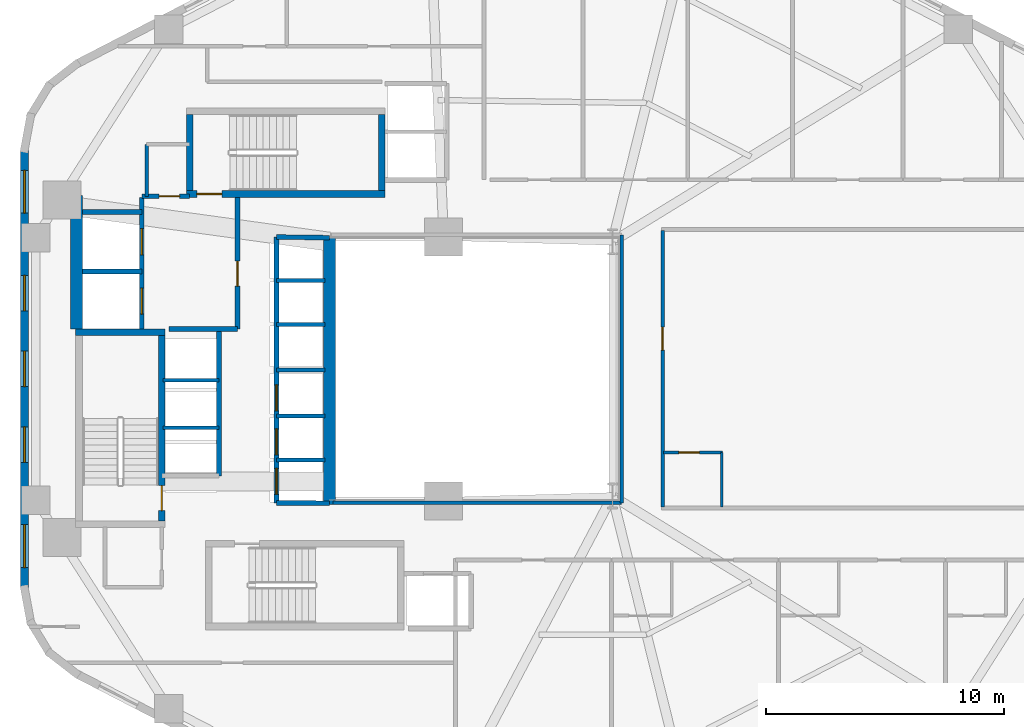
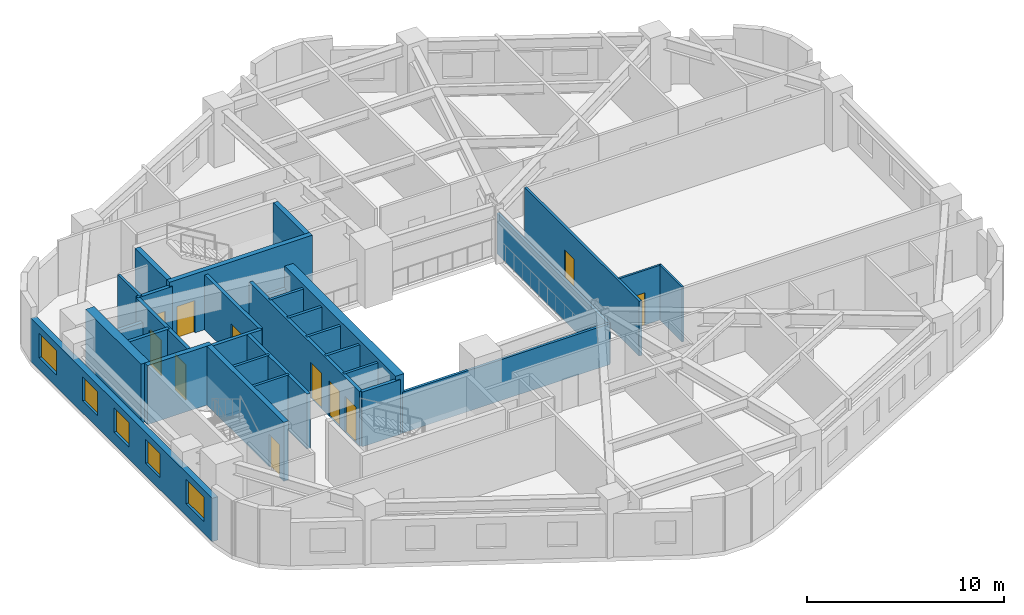
# One storey, part 3 of 7: 31 walls, 11 doors, 5 windows, 16 openings.
"""IFC4 building model written with IfcOpenShell, lengths in metres."""

from ifc_helpers import new_model, si_unit, direction, frame, frame_2d, origin, place, context, subcontext, project, spatial, rectangle, extrude, material, layer, layer_set, type_object, element, fill, save


model = new_model("IFC4")

# Units and contexts
model_context = context("Model", 3, precision=1e-05, world=origin(), true_north=direction((0.0, 1.0)))
body_context = subcontext(model_context, "Body", "Model", "MODEL_VIEW")
ifc_project = project(units=[si_unit("LENGTHUNIT", "METRE"), si_unit("AREAUNIT", "SQUARE_METRE"), si_unit("VOLUMEUNIT", "CUBIC_METRE"), si_unit("PLANEANGLEUNIT", "RADIAN"), si_unit("MASSUNIT", "GRAM", prefix="KILO"), si_unit("THERMODYNAMICTEMPERATUREUNIT", "KELVIN"), si_unit("POWERUNIT", "WATT")], contexts=[model_context])

# Site, building, storey
site_placement = place(None, origin())
site = spatial("IfcSite", under=ifc_project, at=site_placement, CompositionType="ELEMENT")
building_placement = place(site_placement, origin())
building = spatial("IfcBuilding", under=site, at=building_placement, Name="Skarre Station Tower", CompositionType="ELEMENT")
storey_placement = place(building_placement, frame((0.0, 0.0, 89.050048828125)))
storey = spatial("IfcBuildingStorey", under=building, at=storey_placement, Name="L23", CompositionType="ELEMENT", Elevation=89.050048828125)

# Walls
ifc_material_1 = material(Name="Acoustic Steel-Stud Gypsum Partition", Category="steel")
ifc_layer_1 = layer(ifc_material_1, 0.14990234375, Name="Acoustic Steel-Stud Gypsum Partition")
ifc_layer_set_1 = layer_set([ifc_layer_1], Name="Acoustic Steel-Stud Gypsum Partition")
wall_type_1 = type_object("IfcWallType", Name="Fire-Rated Corridor Acoustic Partition 150", PredefinedType="PARTITIONING", material=ifc_layer_set_1)
wall_1_placement = place(storey_placement, frame((19.85009765625, 33.449951171875, 0.0), z_axis=(0.0, 0.0, 1.0), x_axis=(0.0, -1.0, 0.0)))
element("IfcWall", 1, at=wall_1_placement, inside=storey, type_object=wall_type_1, Name="L23 Interior Partition WL-PT-L23-CNW-W", PredefinedType="PARTITIONING", context=body_context, shape_type="SweptSolid", body=[
    extrude(rectangle(XDim=2.18994140625, YDim=0.14990234375, at=frame_2d((1.094970703125, 0.0))), origin(), (0.0, 0.0, 1.0), 3.389892578125),
])
wall_2_placement = place(storey_placement, frame((27.699951171875, 18.360107421875, 0.0), z_axis=(0.0, 0.0, 1.0), x_axis=(1.0, 0.0, 0.0)))
element("IfcWall", 2, at=wall_2_placement, inside=storey, type_object=wall_type_1, Name="L23 Interior Partition WL-PT-L23-ATRW-S", PredefinedType="PARTITIONING", context=body_context, shape_type="SweptSolid", body=[
    extrude(rectangle(XDim=12.14013671875, YDim=0.14990234375, at=frame_2d((6.070068359375, 0.0))), origin(), (0.0, 0.0, 1.0), 2.531005859375),
])
wall_3_placement = place(storey_placement, frame((39.840087890625, 18.360107421875, 0.0), z_axis=(0.0, 0.0, 1.0), x_axis=(0.0, 1.0, 0.0)))
element("IfcWall", 3, at=wall_3_placement, inside=storey, type_object=wall_type_1, Name="L23 Interior Partition WL-PT-L23-ATRW-E", PredefinedType="PARTITIONING", context=body_context, shape_type="SweptSolid", body=[
    extrude(rectangle(XDim=11.27978515625, YDim=0.14990234375, at=frame_2d((5.639892578125, 0.0))), origin(), (0.0, 0.0, 1.0), 2.512939453125),
])

# Wall, opening, door
wall_4_placement = place(storey_placement, frame((41.56005859375, 18.179931640625, 0.0), z_axis=(0.0, 0.0, 1.0), x_axis=(0.0, 1.0, 0.0)))
wall_4 = element("IfcWall", 4, at=wall_4_placement, inside=storey, type_object=wall_type_1, Name="L23 Interior Partition WL-PT-L23-EW1-CW", PredefinedType="PARTITIONING", context=body_context, shape_type="SweptSolid", body=[
    extrude(rectangle(XDim=11.64013671875, YDim=0.14990234375, at=frame_2d((5.820068359375, 0.0))), origin(), (0.0, 0.0, 1.0), 3.389892578125),
])
opening_1_placement = place(wall_4_placement, frame((6.614990234375, 0.0, 0.0)))
opening_1 = element("IfcOpeningElement", 5, at=opening_1_placement, cuts=wall_4, Name="Opening DR-FD60", PredefinedType="OPENING", context=body_context, shape_type="SweptSolid", body=[
    extrude(rectangle(XDim=0.9599609375, YDim=2.0, at=frame_2d((0.47998046875, 1.0))), frame((0.0, 0.0849609375, 0.0), z_axis=(0.0, -1.0, 0.0), x_axis=(1.0, 0.0, 0.0)), (0.0, 0.0, 1.0), 0.169921875),
])
ifc_material_2 = material(Name="Nordic White-Oak Veneer Solid-Core Fire Leaf", Category="wood")
door_type_1 = type_object("IfcDoorType", Name="Corridor Suite Entry Fire Door FD60 960x2150", OperationType="SINGLE_SWING_LEFT", PredefinedType="DOOR", material=ifc_material_2)
door_1_placement = place(opening_1_placement, origin())
door_1 = element("IfcDoor", 6, at=door_1_placement, inside=storey, type_object=door_type_1, Name="L23 EW1 Entry Door", OperationType="SINGLE_SWING_LEFT", OverallHeight=2.0, OverallWidth=0.9599609375, PredefinedType="DOOR", context=body_context, shape_type="SweptSolid", body=[
    extrude(rectangle(XDim=0.9599609375, YDim=2.0, at=frame_2d((0.47998046875, 1.0))), frame((0.0, 0.02490234375, 0.0), z_axis=(0.0, -1.0, 0.0), x_axis=(1.0, 0.0, 0.0)), (0.0, 0.0, 1.0), 0.050048828125),
])
fill(opening_1, door_1)

ifc_material_3 = material(Name="Insulated Timber-Stud Gypsum Partition", Category="wood")
ifc_layer_2 = layer(ifc_material_3, 0.1201171875, Name="Insulated Timber-Stud Gypsum Partition")
ifc_layer_set_2 = layer_set([ifc_layer_2], Name="Insulated Timber-Stud Gypsum Partition")
wall_type_2 = type_object("IfcWallType", Name="Internal Suite Acoustic Partition 120", PredefinedType="PARTITIONING", material=ifc_layer_set_2)
wall_5_placement = place(storey_placement, frame((41.60009765625, 20.47998046875, 0.0), z_axis=(0.0, 0.0, 1.0), x_axis=(1.0, 0.0, 0.0)))
wall_5 = element("IfcWall", 7, at=wall_5_placement, inside=storey, type_object=wall_type_2, Name="L23 Interior Partition WL-PT-L23-EW1-SA1", PredefinedType="PARTITIONING", context=body_context, shape_type="SweptSolid", body=[
    extrude(rectangle(XDim=2.47998046875, YDim=0.1201171875, at=frame_2d((1.239990234375, 0.0))), origin(), (0.0, 0.0, 1.0), 3.389892578125),
])
opening_2_placement = place(wall_5_placement, frame((0.64990234375, 0.0, 0.0)))
opening_2 = element("IfcOpeningElement", 8, at=opening_2_placement, cuts=wall_5, Name="Opening DR-INT86", PredefinedType="OPENING", context=body_context, shape_type="SweptSolid", body=[
    extrude(rectangle(XDim=0.860107421875, YDim=2.0, at=frame_2d((0.43017578125, 1.0))), frame((0.0, 0.070068359375, 0.0), z_axis=(0.0, -1.0, 0.0), x_axis=(1.0, 0.0, 0.0)), (0.0, 0.0, 1.0), 0.14013671875),
])
ifc_material_4 = material(Name="Nordic Birch Acoustic Solid-Core Timber Leaf", Category="wood")
door_type_2 = type_object("IfcDoorType", Name="Internal En-Suite & Bedroom Door 860x2100", OperationType="SINGLE_SWING_LEFT", PredefinedType="DOOR", material=ifc_material_4)
door_2_placement = place(opening_2_placement, origin())
door_2 = element("IfcDoor", 9, at=door_2_placement, inside=storey, type_object=door_type_2, Name="L23 EW1 Alcove Store Door", OperationType="SINGLE_SWING_LEFT", OverallHeight=2.0, OverallWidth=0.860107421875, PredefinedType="DOOR", context=body_context, shape_type="SweptSolid", body=[
    extrude(rectangle(XDim=0.860107421875, YDim=2.0, at=frame_2d((0.43017578125, 1.0))), frame((0.0, 0.02490234375, 0.0), z_axis=(0.0, -1.0, 0.0), x_axis=(1.0, 0.0, 0.0)), (0.0, 0.0, 1.0), 0.050048828125),
])
fill(opening_2, door_2)

# Wall
wall_6_placement = place(storey_placement, frame((44.050048828125, 18.179931640625, 0.0), z_axis=(0.0, 0.0, 1.0), x_axis=(0.0, 1.0, 0.0)))
element("IfcWall", 10, at=wall_6_placement, inside=storey, type_object=wall_type_2, Name="L23 Interior Partition WL-PT-L23-EW1-SA2", PredefinedType="PARTITIONING", context=body_context, shape_type="SweptSolid", body=[
    extrude(rectangle(XDim=2.300048828125, YDim=0.1201171875, at=frame_2d((1.14990234375, 0.0))), origin(), (0.0, 0.0, 1.0), 3.389892578125),
])

# Wall, openings, windows
ifc_material_5 = material(Name="Precast concrete C45/55", Category="concrete")
ifc_layer_3 = layer(ifc_material_5, 0.340087890625, Name="Precast concrete C45/55")
ifc_layer_set_3 = layer_set([ifc_layer_3], Name="Precast concrete C45/55")
wall_type_3 = type_object("IfcWallType", Name="Nordic Honed Precast Facet Wall 340", PredefinedType="STANDARD", material=ifc_layer_set_3)
wall_7_placement = place(storey_placement, frame((14.70703125, 14.798095703125, 0.0), z_axis=(0.0, 0.0, 1.0), x_axis=(0.0, 1.0, 0.0)))
wall_7 = element("IfcWall", 11, at=wall_7_placement, inside=storey, type_object=wall_type_3, Name="L23 Facet 2 Nordic Precast Masonry Wall", PredefinedType="STANDARD", context=body_context, shape_type="SweptSolid", body=[
    extrude(rectangle(XDim=18.40380859375, YDim=0.340087890625, at=frame_2d((9.201904296875, 0.0))), origin(), (0.0, 0.0, 1.0), 2.683837890625),
])
opening_3_placement = place(wall_7_placement, frame((0.844970703125, 0.0, 0.75)))
opening_3 = element("IfcOpeningElement", 12, at=opening_3_placement, cuts=wall_7, Name="Opening WN-Z1A", PredefinedType="OPENING", context=body_context, shape_type="SweptSolid", body=[
    extrude(rectangle(XDim=1.800048828125, YDim=1.5, at=frame_2d((0.89990234375, 0.75))), frame((0.0, 0.179931640625, 0.0), z_axis=(0.0, -1.0, 0.0), x_axis=(1.0, 0.0, 0.0)), (0.0, 0.0, 1.0), 0.360107421875),
])
opening_4_placement = place(wall_7_placement, frame((5.264892578125, 0.0, 0.75)))
opening_4 = element("IfcOpeningElement", 13, at=opening_4_placement, cuts=wall_7, Name="Opening WN-Z1B", PredefinedType="OPENING", context=body_context, shape_type="SweptSolid", body=[
    extrude(rectangle(XDim=1.5, YDim=1.5, at=frame_2d((0.75, 0.75))), frame((0.0, 0.179931640625, 0.0), z_axis=(0.0, -1.0, 0.0), x_axis=(1.0, 0.0, 0.0)), (0.0, 0.0, 1.0), 0.360107421875),
])
opening_5_placement = place(wall_7_placement, frame((8.451904296875, 0.0, 0.75)))
opening_5 = element("IfcOpeningElement", 14, at=opening_5_placement, cuts=wall_7, Name="Opening WN-Z1B", PredefinedType="OPENING", context=body_context, shape_type="SweptSolid", body=[
    extrude(rectangle(XDim=1.5, YDim=1.5, at=frame_2d((0.75, 0.75))), frame((0.0, 0.179931640625, 0.0), z_axis=(0.0, -1.0, 0.0), x_axis=(1.0, 0.0, 0.0)), (0.0, 0.0, 1.0), 0.360107421875),
])
opening_6_placement = place(wall_7_placement, frame((11.638916015625, 0.0, 0.75)))
opening_6 = element("IfcOpeningElement", 15, at=opening_6_placement, cuts=wall_7, Name="Opening WN-Z1B", PredefinedType="OPENING", context=body_context, shape_type="SweptSolid", body=[
    extrude(rectangle(XDim=1.5, YDim=1.5, at=frame_2d((0.75, 0.75))), frame((0.0, 0.179931640625, 0.0), z_axis=(0.0, -1.0, 0.0), x_axis=(1.0, 0.0, 0.0)), (0.0, 0.0, 1.0), 0.360107421875),
])
opening_7_placement = place(wall_7_placement, frame((15.758056640625, 0.0, 0.75)))
opening_7 = element("IfcOpeningElement", 16, at=opening_7_placement, cuts=wall_7, Name="Opening WN-Z1A", PredefinedType="OPENING", context=body_context, shape_type="SweptSolid", body=[
    extrude(rectangle(XDim=1.800048828125, YDim=1.5, at=frame_2d((0.89990234375, 0.75))), frame((0.0, 0.179931640625, 0.0), z_axis=(0.0, -1.0, 0.0), x_axis=(1.0, 0.0, 0.0)), (0.0, 0.0, 1.0), 0.360107421875),
])
ifc_material_6 = material(Name="Low-Iron Triple Glazing with Bronze Anodized Frame", Category="glass")
window_type_1 = type_object("IfcWindowType", Name="Nordic Punched Triple-Glazed Window 1500x1500", PartitioningType="SINGLE_PANEL", PredefinedType="WINDOW", material=ifc_material_6)
window_1_placement = place(opening_4_placement, origin())
window_1 = element("IfcWindow", 17, at=window_1_placement, inside=storey, type_object=window_type_1, Name="L23 Facade Window WL-FAC-L23-F2-2", OverallHeight=1.5, OverallWidth=1.5, PartitioningType="SINGLE_PANEL", PredefinedType="WINDOW", context=body_context, shape_type="SweptSolid", body=[
    extrude(rectangle(XDim=1.5, YDim=1.5, at=frame_2d((0.75, 0.75))), frame((0.0, 0.030029296875, 0.0), z_axis=(0.0, -1.0, 0.0), x_axis=(1.0, 0.0, 0.0)), (0.0, 0.0, 1.0), 0.06005859375),
])
fill(opening_4, window_1)
window_2_placement = place(opening_5_placement, origin())
window_2 = element("IfcWindow", 18, at=window_2_placement, inside=storey, type_object=window_type_1, Name="L23 Facade Window WL-FAC-L23-F2-3", OverallHeight=1.5, OverallWidth=1.5, PartitioningType="SINGLE_PANEL", PredefinedType="WINDOW", context=body_context, shape_type="SweptSolid", body=[
    extrude(rectangle(XDim=1.5, YDim=1.5, at=frame_2d((0.75, 0.75))), frame((0.0, 0.030029296875, 0.0), z_axis=(0.0, -1.0, 0.0), x_axis=(1.0, 0.0, 0.0)), (0.0, 0.0, 1.0), 0.06005859375),
])
fill(opening_5, window_2)
window_3_placement = place(opening_6_placement, origin())
window_3 = element("IfcWindow", 19, at=window_3_placement, inside=storey, type_object=window_type_1, Name="L23 Facade Window WL-FAC-L23-F2-4", OverallHeight=1.5, OverallWidth=1.5, PartitioningType="SINGLE_PANEL", PredefinedType="WINDOW", context=body_context, shape_type="SweptSolid", body=[
    extrude(rectangle(XDim=1.5, YDim=1.5, at=frame_2d((0.75, 0.75))), frame((0.0, 0.030029296875, 0.0), z_axis=(0.0, -1.0, 0.0), x_axis=(1.0, 0.0, 0.0)), (0.0, 0.0, 1.0), 0.06005859375),
])
fill(opening_6, window_3)
window_type_2 = type_object("IfcWindowType", Name="Nordic Punched Triple-Glazed Window 1800x1500", PartitioningType="SINGLE_PANEL", PredefinedType="WINDOW", material=ifc_material_6)
window_4_placement = place(opening_3_placement, origin())
window_4 = element("IfcWindow", 20, at=window_4_placement, inside=storey, type_object=window_type_2, Name="L23 Facade Window WL-FAC-L23-F2-1", OverallHeight=1.5, OverallWidth=1.800048828125, PartitioningType="SINGLE_PANEL", PredefinedType="WINDOW", context=body_context, shape_type="SweptSolid", body=[
    extrude(rectangle(XDim=1.800048828125, YDim=1.5, at=frame_2d((0.89990234375, 0.75))), frame((0.0, 0.030029296875, 0.0), z_axis=(0.0, -1.0, 0.0), x_axis=(1.0, 0.0, 0.0)), (0.0, 0.0, 1.0), 0.06005859375),
])
fill(opening_3, window_4)
window_5_placement = place(opening_7_placement, origin())
window_5 = element("IfcWindow", 21, at=window_5_placement, inside=storey, type_object=window_type_2, Name="L23 Facade Window WL-FAC-L23-F2-5", OverallHeight=1.5, OverallWidth=1.800048828125, PartitioningType="SINGLE_PANEL", PredefinedType="WINDOW", context=body_context, shape_type="SweptSolid", body=[
    extrude(rectangle(XDim=1.800048828125, YDim=1.5, at=frame_2d((0.89990234375, 0.75))), frame((0.0, 0.030029296875, 0.0), z_axis=(0.0, -1.0, 0.0), x_axis=(1.0, 0.0, 0.0)), (0.0, 0.0, 1.0), 0.06005859375),
])
fill(opening_7, window_5)

# Wall
ifc_material_7 = material(Name="Concrete C50/60", Category="concrete")
ifc_layer_4 = layer(ifc_material_7, 0.280029296875, Name="Concrete C50/60")
ifc_layer_set_4 = layer_set([ifc_layer_4], Name="Concrete C50/60")
wall_type_4 = type_object("IfcWallType", Name="RC Core Shear Wall 280", PredefinedType="SHEAR", material=ifc_layer_set_4)
wall_8_placement = place(storey_placement, frame((20.6298828125, 25.5400390625, 0.0), z_axis=(0.0, 0.0, 1.0), x_axis=(-1.0, 0.0, 0.0)))
element("IfcWall", 22, at=wall_8_placement, inside=storey, type_object=wall_type_4, Name="L23 Stair ST-1 North Shear Wall", PredefinedType="SHEAR", context=body_context, shape_type="SweptSolid", body=[
    extrude(rectangle(XDim=3.759765625, YDim=0.280029296875, at=frame_2d((1.8798828125, 0.0))), origin(), (0.0, 0.0, 1.0), 3.64990234375),
])

# Wall, opening, door
wall_9_placement = place(storey_placement, frame((20.489990234375, 17.60009765625, 0.0), z_axis=(0.0, 0.0, 1.0), x_axis=(0.0, 1.0, 0.0)))
wall_9 = element("IfcWall", 23, at=wall_9_placement, inside=storey, type_object=wall_type_4, Name="L23 Stair ST-1 East Shear Wall", PredefinedType="SHEAR", context=body_context, shape_type="SweptSolid", body=[
    extrude(rectangle(XDim=7.7998046875, YDim=0.280029296875, at=frame_2d((3.89990234375, 0.0))), origin(), (0.0, 0.0, 1.0), 3.64990234375),
])
opening_8_placement = place(wall_9_placement, frame((0.43994140625, 0.0, 0.0)))
opening_8 = element("IfcOpeningElement", 24, at=opening_8_placement, cuts=wall_9, Name="Opening DR-FD90", PredefinedType="OPENING", context=body_context, shape_type="SweptSolid", body=[
    extrude(rectangle(XDim=1.050048828125, YDim=2.0, at=frame_2d((0.52490234375, 1.0))), frame((0.0, 0.14990234375, 0.0), z_axis=(0.0, -1.0, 0.0), x_axis=(1.0, 0.0, 0.0)), (0.0, 0.0, 1.0), 0.300048828125),
])
ifc_material_8 = material(Name="Fire-Rated Insulated Steel Frame & Timber Core Leaf", Category="steel")
door_type_3 = type_object("IfcDoorType", Name="Stair & FSAE Lobby Fire Door FD90 1050x2150", OperationType="SINGLE_SWING_RIGHT", PredefinedType="DOOR", material=ifc_material_8)
door_3_placement = place(opening_8_placement, origin())
door_3 = element("IfcDoor", 25, at=door_3_placement, inside=storey, type_object=door_type_3, Name="L23 Stair ST-1 Exit Door", OperationType="SINGLE_SWING_RIGHT", OverallHeight=2.0, OverallWidth=1.050048828125, PredefinedType="DOOR", context=body_context, shape_type="SweptSolid", body=[
    extrude(rectangle(XDim=1.050048828125, YDim=2.0, at=frame_2d((0.52490234375, 1.0))), frame((0.0, 0.02490234375, 0.0), z_axis=(0.0, -1.0, 0.0), x_axis=(1.0, 0.0, 0.0)), (0.0, 0.0, 1.0), 0.050048828125),
])
fill(opening_8, door_3)

wall_10_placement = place(storey_placement, frame((21.52001953125, 31.360107421875, 0.0), z_axis=(0.0, 0.0, 1.0), x_axis=(1.0, 0.0, 0.0)))
wall_10 = element("IfcWall", 26, at=wall_10_placement, inside=storey, type_object=wall_type_4, Name="L23 Stair ST-3 South Shear Wall", PredefinedType="SHEAR", context=body_context, shape_type="SweptSolid", body=[
    extrude(rectangle(XDim=8.35986328125, YDim=0.280029296875, at=frame_2d((4.179931640625, 0.0))), origin(), (0.0, 0.0, 1.0), 3.64990234375),
])
opening_9_placement = place(wall_10_placement, frame((0.449951171875, 0.0, 0.0)))
opening_9 = element("IfcOpeningElement", 27, at=opening_9_placement, cuts=wall_10, Name="Opening DR-FD90", PredefinedType="OPENING", context=body_context, shape_type="SweptSolid", body=[
    extrude(rectangle(XDim=1.050048828125, YDim=2.0, at=frame_2d((0.52490234375, 1.0))), frame((0.0, 0.14990234375, 0.0), z_axis=(0.0, -1.0, 0.0), x_axis=(1.0, 0.0, 0.0)), (0.0, 0.0, 1.0), 0.300048828125),
])
door_4_placement = place(opening_9_placement, origin())
door_4 = element("IfcDoor", 28, at=door_4_placement, inside=storey, type_object=door_type_3, Name="L23 Stair ST-3 & FSAE Lobby Direct Exit Door", OperationType="SINGLE_SWING_LEFT", OverallHeight=2.0, OverallWidth=1.050048828125, PredefinedType="DOOR", context=body_context, shape_type="SweptSolid", body=[
    extrude(rectangle(XDim=1.050048828125, YDim=2.0, at=frame_2d((0.52490234375, 1.0))), frame((0.0, 0.02490234375, 0.0), z_axis=(0.0, -1.0, 0.0), x_axis=(1.0, 0.0, 0.0)), (0.0, 0.0, 1.0), 0.050048828125),
])
fill(opening_9, door_4)

# Walls
for number, where, z_axis, x_axis, name in (
    (29, (21.659912109375, 34.699951171875, 0.0), (0.0, 0.0, 1.0), (0.0, -1.0, 0.0), "L23 Stair ST-3 West Shear Wall"),
    (30, (29.739990234375, 31.5, 0.0), (0.0, 0.0, 1.0), (0.0, 1.0, 0.0), "L23 Stair ST-3 East Shear Wall"),
):
    element("IfcWall", number, at=place(storey_placement, frame(where, z_axis=z_axis, x_axis=x_axis)), inside=storey, type_object=wall_type_4, Name=name, PredefinedType="SHEAR", context=body_context, shape_type="SweptSolid", body=[
        extrude(rectangle(XDim=3.199951171875, YDim=0.280029296875, at=frame_2d((1.60009765625, 0.0))), origin(), (0.0, 0.0, 1.0), 3.64990234375),
    ])
ifc_material_9 = material(Name="Concrete C70/85", Category="concrete")
ifc_layer_5 = layer(ifc_material_9, 0.5, Name="Concrete C70/85")
ifc_layer_set_5 = layer_set([ifc_layer_5], Name="Concrete C70/85")
wall_type_5 = type_object("IfcWallType", Name="RC Core Shear Wall 500", PredefinedType="SHEAR", material=ifc_layer_set_5)
wall_11_placement = place(storey_placement, frame((16.89990234375, 25.679931640625, 0.0), z_axis=(0.0, 0.0, 1.0), x_axis=(0.0, 1.0, 0.0)))
element("IfcWall", 31, at=wall_11_placement, inside=storey, type_object=wall_type_5, Name="L23 Core West-North Shear Wall", PredefinedType="SHEAR", context=body_context, shape_type="SweptSolid", body=[
    extrude(rectangle(XDim=5.6201171875, YDim=0.5, at=frame_2d((2.81005859375, 0.0))), origin(), (0.0, 0.0, 1.0), 3.64990234375),
])
wall_12_placement = place(storey_placement, frame((27.550048828125, 29.550048828125, 0.0), z_axis=(0.0, 0.0, 1.0), x_axis=(0.0, -1.0, 0.0)))
element("IfcWall", 32, at=wall_12_placement, inside=storey, type_object=wall_type_5, Name="L23 Core East Atrium Shear Wall", PredefinedType="SHEAR", context=body_context, shape_type="SweptSolid", body=[
    extrude(rectangle(XDim=11.25, YDim=0.5, at=frame_2d((5.625, 0.0))), origin(), (0.0, 0.0, 1.0), 3.64990234375),
])

# Wall, openings, doors
ifc_material_10 = material(Name="Gypsum Concrete Shaft Assembly C30/37", Category="concrete")
ifc_layer_6 = layer(ifc_material_10, 0.199951171875, Name="Gypsum Concrete Shaft Assembly C30/37")
ifc_layer_set_6 = layer_set([ifc_layer_6], Name="Gypsum Concrete Shaft Assembly C30/37")
wall_type_6 = type_object("IfcWallType", Name="Shaft & Core Fire Partition 200", PredefinedType="PARTITIONING", material=ifc_layer_set_6)
wall_13_placement = place(storey_placement, frame((19.64990234375, 25.679931640625, 0.0), z_axis=(0.0, 0.0, 1.0), x_axis=(0.0, 1.0, 0.0)))
wall_13 = element("IfcWall", 33, at=wall_13_placement, inside=storey, type_object=wall_type_6, Name="L23 Interior Partition WL-PT-L23-FSAE-W", PredefinedType="PARTITIONING", context=body_context, shape_type="SweptSolid", body=[
    extrude(rectangle(XDim=5.5400390625, YDim=0.199951171875, at=frame_2d((2.77001953125, 0.0))), origin(), (0.0, 0.0, 1.0), 3.389892578125),
])
opening_10_placement = place(wall_13_placement, frame((0.6201171875, 0.0, 0.0)))
opening_10 = element("IfcOpeningElement", 34, at=opening_10_placement, cuts=wall_13, Name="Opening LD-FF1", PredefinedType="OPENING", context=body_context, shape_type="SweptSolid", body=[
    extrude(rectangle(XDim=1.10009765625, YDim=2.199951171875, at=frame_2d((0.550048828125, 1.10009765625))), frame((0.0, 0.10986328125, 0.0), z_axis=(0.0, -1.0, 0.0), x_axis=(1.0, 0.0, 0.0)), (0.0, 0.0, 1.0), 0.219970703125),
])
opening_11_placement = place(wall_13_placement, frame((3.1201171875, 0.0, 0.0)))
opening_11 = element("IfcOpeningElement", 35, at=opening_11_placement, cuts=wall_13, Name="Opening LD-FF2", PredefinedType="OPENING", context=body_context, shape_type="SweptSolid", body=[
    extrude(rectangle(XDim=1.10009765625, YDim=2.199951171875, at=frame_2d((0.550048828125, 1.10009765625))), frame((0.0, 0.10986328125, 0.0), z_axis=(0.0, -1.0, 0.0), x_axis=(1.0, 0.0, 0.0)), (0.0, 0.0, 1.0), 0.219970703125),
])
ifc_material_11 = material(Name="Fire-Rated Stainless Steel Grade 316L Sliding Leaves", Category="steel")
door_type_4 = type_object("IfcDoorType", Name="Fire Service Access Elevator Sliding Landing Door 1100x2200", OperationType="SLIDING_TO_LEFT", PredefinedType="DOOR", material=ifc_material_11)
door_5_placement = place(opening_10_placement, origin())
door_5 = element("IfcDoor", 36, at=door_5_placement, inside=storey, type_object=door_type_4, Name="L23 Firefighting Lift LF-FF1 Landing Door", OperationType="SLIDING_TO_LEFT", OverallHeight=2.199951171875, OverallWidth=1.10009765625, PredefinedType="DOOR", context=body_context, shape_type="SweptSolid", body=[
    extrude(rectangle(XDim=1.10009765625, YDim=2.199951171875, at=frame_2d((0.550048828125, 1.10009765625))), frame((0.0, 0.02490234375, 0.0), z_axis=(0.0, -1.0, 0.0), x_axis=(1.0, 0.0, 0.0)), (0.0, 0.0, 1.0), 0.050048828125),
])
fill(opening_10, door_5)
door_6_placement = place(opening_11_placement, origin())
door_6 = element("IfcDoor", 37, at=door_6_placement, inside=storey, type_object=door_type_4, Name="L23 Firefighting Lift LF-FF2 Landing Door", OperationType="SLIDING_TO_LEFT", OverallHeight=2.199951171875, OverallWidth=1.10009765625, PredefinedType="DOOR", context=body_context, shape_type="SweptSolid", body=[
    extrude(rectangle(XDim=1.10009765625, YDim=2.199951171875, at=frame_2d((0.550048828125, 1.10009765625))), frame((0.0, 0.02490234375, 0.0), z_axis=(0.0, -1.0, 0.0), x_axis=(1.0, 0.0, 0.0)), (0.0, 0.0, 1.0), 0.050048828125),
])
fill(opening_11, door_6)

# Wall
wall_14_placement = place(storey_placement, frame((20.79296875, 25.679931640625, 0.0), z_axis=(0.0, 0.0, 1.0), x_axis=(1.0, 0.0, 0.0)))
element("IfcWall", 38, at=wall_14_placement, inside=storey, type_object=wall_type_6, Name="L23 Interior Partition WL-PT-L23-FSAE-S", PredefinedType="PARTITIONING", context=body_context, shape_type="SweptSolid", body=[
    extrude(rectangle(XDim=2.886962890625, YDim=0.199951171875, at=frame_2d((1.443359375, 0.0))), origin(), (0.0, 0.0, 1.0), 3.389892578125),
])

# Wall, opening, door
wall_15_placement = place(storey_placement, frame((23.679931640625, 25.679931640625, 0.0), z_axis=(0.0, 0.0, 1.0), x_axis=(0.0, 1.0, 0.0)))
wall_15 = element("IfcWall", 39, at=wall_15_placement, inside=storey, type_object=wall_type_6, Name="L23 Interior Partition WL-PT-L23-FSAE-E", PredefinedType="PARTITIONING", context=body_context, shape_type="SweptSolid", body=[
    extrude(rectangle(XDim=5.5400390625, YDim=0.199951171875, at=frame_2d((2.77001953125, 0.0))), origin(), (0.0, 0.0, 1.0), 3.389892578125),
])
opening_12_placement = place(wall_15_placement, frame((1.800048828125, 0.0, 0.0)))
opening_12 = element("IfcOpeningElement", 40, at=opening_12_placement, cuts=wall_15, Name="Opening DR-FD90", PredefinedType="OPENING", context=body_context, shape_type="SweptSolid", body=[
    extrude(rectangle(XDim=1.050048828125, YDim=2.0, at=frame_2d((0.52490234375, 1.0))), frame((0.0, 0.10986328125, 0.0), z_axis=(0.0, -1.0, 0.0), x_axis=(1.0, 0.0, 0.0)), (0.0, 0.0, 1.0), 0.219970703125),
])
door_7_placement = place(opening_12_placement, origin())
door_7 = element("IfcDoor", 41, at=door_7_placement, inside=storey, type_object=door_type_3, Name="L23 FSAE Lobby Fire Door", OperationType="SINGLE_SWING_RIGHT", OverallHeight=2.0, OverallWidth=1.050048828125, PredefinedType="DOOR", context=body_context, shape_type="SweptSolid", body=[
    extrude(rectangle(XDim=1.050048828125, YDim=2.0, at=frame_2d((0.52490234375, 1.0))), frame((0.0, 0.02490234375, 0.0), z_axis=(0.0, -1.0, 0.0), x_axis=(1.0, 0.0, 0.0)), (0.0, 0.0, 1.0), 0.050048828125),
])
fill(opening_12, door_7)

wall_16_placement = place(storey_placement, frame((21.659912109375, 31.260009765625, 0.0), z_axis=(0.0, 0.0, 1.0), x_axis=(-1.0, 0.0, 0.0)))
wall_16 = element("IfcWall", 42, at=wall_16_placement, inside=storey, type_object=wall_type_6, Name="L23 Interior Partition WL-PT-L23-FSAE-N", PredefinedType="PARTITIONING", context=body_context, shape_type="SweptSolid", body=[
    extrude(rectangle(XDim=2.010009765625, YDim=0.199951171875, at=frame_2d((1.0048828125, 0.0))), origin(), (0.0, 0.0, 1.0), 3.389892578125),
])
opening_13_placement = place(wall_16_placement, frame((0.419921875, 0.0, 0.0)))
opening_13 = element("IfcOpeningElement", 43, at=opening_13_placement, cuts=wall_16, Name="Opening DR-SVC86", PredefinedType="OPENING", context=body_context, shape_type="SweptSolid", body=[
    extrude(rectangle(XDim=0.860107421875, YDim=2.0, at=frame_2d((0.43017578125, 1.0))), frame((0.0, 0.10986328125, 0.0), z_axis=(0.0, -1.0, 0.0), x_axis=(1.0, 0.0, 0.0)), (0.0, 0.0, 1.0), 0.219970703125),
])
ifc_material_12 = material(Name="Powder-Coated Hollow-Metal Acoustic Fire Leaf", Category="steel")
door_type_5 = type_object("IfcDoorType", Name="Compact Riser Fire Door FD60 860x2100", OperationType="SINGLE_SWING_LEFT", PredefinedType="DOOR", material=ifc_material_12)
door_8_placement = place(opening_13_placement, origin())
door_8 = element("IfcDoor", 44, at=door_8_placement, inside=storey, type_object=door_type_5, Name="L23 Core Service Room Lobby Door", OperationType="SINGLE_SWING_LEFT", OverallHeight=2.0, OverallWidth=0.860107421875, PredefinedType="DOOR", context=body_context, shape_type="SweptSolid", body=[
    extrude(rectangle(XDim=0.860107421875, YDim=2.0, at=frame_2d((0.43017578125, 1.0))), frame((0.0, 0.02490234375, 0.0), z_axis=(0.0, -1.0, 0.0), x_axis=(1.0, 0.0, 0.0)), (0.0, 0.0, 1.0), 0.050048828125),
])
fill(opening_13, door_8)

# Walls
wall_17_placement = place(storey_placement, frame((17.14990234375, 28.10009765625, 0.0), z_axis=(0.0, 0.0, 1.0), x_axis=(1.0, 0.0, 0.0)))
element("IfcWall", 45, at=wall_17_placement, inside=storey, type_object=wall_type_6, Name="L23 Interior Partition WL-PT-L23-FF-DIV", PredefinedType="PARTITIONING", context=body_context, shape_type="SweptSolid", body=[
    extrude(rectangle(XDim=2.5, YDim=0.199951171875, at=frame_2d((1.25, 0.0))), origin(), (0.0, 0.0, 1.0), 3.389892578125),
])
wall_18_placement = place(storey_placement, frame((19.64990234375, 30.60009765625, 0.0), z_axis=(0.0, 0.0, 1.0), x_axis=(-1.0, 0.0, 0.0)))
element("IfcWall", 46, at=wall_18_placement, inside=storey, type_object=wall_type_6, Name="L23 Interior Partition WL-PT-L23-FF-N", PredefinedType="PARTITIONING", context=body_context, shape_type="SweptSolid", body=[
    extrude(rectangle(XDim=2.5, YDim=0.199951171875, at=frame_2d((1.25, 0.0))), origin(), (0.0, 0.0, 1.0), 2.2900390625),
])
wall_19_placement = place(storey_placement, frame((22.89990234375, 19.5, 0.0), z_axis=(0.0, 0.0, 1.0), x_axis=(0.0, 1.0, 0.0)))
element("IfcWall", 47, at=wall_19_placement, inside=storey, type_object=wall_type_6, Name="L23 Interior Partition WL-PT-L23-B3-E", PredefinedType="PARTITIONING", context=body_context, shape_type="SweptSolid", body=[
    extrude(rectangle(XDim=6.0849609375, YDim=0.199951171875, at=frame_2d((3.04248046875, 0.0))), origin(), (0.0, 0.0, 1.0), 3.389892578125),
])
for number, where, z_axis, x_axis, name in (
    (48, (20.550048828125, 21.52001953125, 0.0), (0.0, 0.0, 1.0), (1.0, 0.0, 0.0), "L23 Interior Partition WL-PT-L23-B3-D1"),
    (49, (20.550048828125, 23.52001953125, 0.0), (0.0, 0.0, 1.0), (1.0, 0.0, 0.0), "L23 Interior Partition WL-PT-L23-B3-D2"),
):
    element("IfcWall", number, at=place(storey_placement, frame(where, z_axis=z_axis, x_axis=x_axis)), inside=storey, type_object=wall_type_6, Name=name, PredefinedType="PARTITIONING", context=body_context, shape_type="SweptSolid", body=[
        extrude(rectangle(XDim=2.349853515625, YDim=0.159912109375, at=frame_2d((1.1748046875, 0.0))), origin(), (0.0, 0.0, 1.0), 3.389892578125),
    ])

# Wall, openings, doors
wall_20_placement = place(storey_placement, frame((25.320068359375, 29.550048828125, 0.0), z_axis=(0.0, 0.0, 1.0), x_axis=(0.0, -1.0, 0.0)))
wall_20 = element("IfcWall", 50, at=wall_20_placement, inside=storey, type_object=wall_type_6, Name="L23 Interior Partition WL-PT-L23-B12-W", PredefinedType="PARTITIONING", context=body_context, shape_type="SweptSolid", body=[
    extrude(rectangle(XDim=11.18994140625, YDim=0.199951171875, at=frame_2d((5.594970703125, 0.0))), origin(), (0.0, 0.0, 1.0), 3.389892578125),
])
opening_14_placement = place(wall_20_placement, frame((6.219970703125, 0.0, 0.0)))
opening_14 = element("IfcOpeningElement", 51, at=opening_14_placement, cuts=wall_20, Name="Opening LD-P3", PredefinedType="OPENING", context=body_context, shape_type="SweptSolid", body=[
    extrude(rectangle(XDim=1.10009765625, YDim=2.199951171875, at=frame_2d((0.550048828125, 1.10009765625))), frame((0.0, 0.10986328125, 0.0), z_axis=(0.0, -1.0, 0.0), x_axis=(1.0, 0.0, 0.0)), (0.0, 0.0, 1.0), 0.219970703125),
])
opening_15_placement = place(wall_20_placement, frame((8.070068359375, 0.0, 0.0)))
opening_15 = element("IfcOpeningElement", 52, at=opening_15_placement, cuts=wall_20, Name="Opening LD-P2", PredefinedType="OPENING", context=body_context, shape_type="SweptSolid", body=[
    extrude(rectangle(XDim=1.10009765625, YDim=2.199951171875, at=frame_2d((0.550048828125, 1.10009765625))), frame((0.0, 0.10986328125, 0.0), z_axis=(0.0, -1.0, 0.0), x_axis=(1.0, 0.0, 0.0)), (0.0, 0.0, 1.0), 0.219970703125),
])
opening_16_placement = place(wall_20_placement, frame((9.72998046875, 0.0, 0.0)))
opening_16 = element("IfcOpeningElement", 53, at=opening_16_placement, cuts=wall_20, Name="Opening LD-P1", PredefinedType="OPENING", context=body_context, shape_type="SweptSolid", body=[
    extrude(rectangle(XDim=1.10009765625, YDim=2.199951171875, at=frame_2d((0.550048828125, 1.10009765625))), frame((0.0, 0.10986328125, 0.0), z_axis=(0.0, -1.0, 0.0), x_axis=(1.0, 0.0, 0.0)), (0.0, 0.0, 1.0), 0.219970703125),
])
ifc_material_13 = material(Name="Brushed Bronze Stainless Steel Sliding Leaves", Category="steel")
door_type_6 = type_object("IfcDoorType", Name="Passenger Elevator Center-Parting Sliding Door 1100x2200", OperationType="SLIDING_TO_LEFT", PredefinedType="DOOR", material=ifc_material_13)
door_9_placement = place(opening_14_placement, origin())
door_9 = element("IfcDoor", 54, at=door_9_placement, inside=storey, type_object=door_type_6, Name="L23 Passenger Lift LF-P3 Landing Door", OperationType="SLIDING_TO_LEFT", OverallHeight=2.199951171875, OverallWidth=1.10009765625, PredefinedType="DOOR", context=body_context, shape_type="SweptSolid", body=[
    extrude(rectangle(XDim=1.10009765625, YDim=2.199951171875, at=frame_2d((0.550048828125, 1.10009765625))), frame((0.0, 0.02490234375, 0.0), z_axis=(0.0, -1.0, 0.0), x_axis=(1.0, 0.0, 0.0)), (0.0, 0.0, 1.0), 0.050048828125),
])
fill(opening_14, door_9)
door_10_placement = place(opening_15_placement, origin())
door_10 = element("IfcDoor", 55, at=door_10_placement, inside=storey, type_object=door_type_6, Name="L23 Passenger Lift LF-P2 Landing Door", OperationType="SLIDING_TO_LEFT", OverallHeight=2.199951171875, OverallWidth=1.10009765625, PredefinedType="DOOR", context=body_context, shape_type="SweptSolid", body=[
    extrude(rectangle(XDim=1.10009765625, YDim=2.199951171875, at=frame_2d((0.550048828125, 1.10009765625))), frame((0.0, 0.02490234375, 0.0), z_axis=(0.0, -1.0, 0.0), x_axis=(1.0, 0.0, 0.0)), (0.0, 0.0, 1.0), 0.050048828125),
])
fill(opening_15, door_10)
door_11_placement = place(opening_16_placement, origin())
door_11 = element("IfcDoor", 56, at=door_11_placement, inside=storey, type_object=door_type_6, Name="L23 Passenger Lift LF-P1 Landing Door", OperationType="SLIDING_TO_LEFT", OverallHeight=2.199951171875, OverallWidth=1.10009765625, PredefinedType="DOOR", context=body_context, shape_type="SweptSolid", body=[
    extrude(rectangle(XDim=1.10009765625, YDim=2.199951171875, at=frame_2d((0.550048828125, 1.10009765625))), frame((0.0, 0.02490234375, 0.0), z_axis=(0.0, -1.0, 0.0), x_axis=(1.0, 0.0, 0.0)), (0.0, 0.0, 1.0), 0.050048828125),
])
fill(opening_16, door_11)

# Walls
wall_21_placement = place(storey_placement, frame((25.320068359375, 18.360107421875, 0.0), z_axis=(0.0, 0.0, 1.0), x_axis=(0.999989925833, -0.004488678231, 0.0)))
element("IfcWall", 57, at=wall_21_placement, inside=storey, type_object=wall_type_6, Name="L23 Interior Partition WL-PT-L23-B12-S", PredefinedType="PARTITIONING", context=body_context, shape_type="SweptSolid", body=[
    extrude(rectangle(XDim=2.22998046875, YDim=0.199951171875, at=frame_2d((1.114990234375, 0.0))), origin(), (0.0, 0.0, 1.0), 3.389892578125),
])
wall_22_placement = place(storey_placement, frame((27.550048828125, 29.52001953125, 0.0), z_axis=(0.0, 0.0, 1.0), x_axis=(-0.999909343457, 0.013464949556, 0.0)))
element("IfcWall", 58, at=wall_22_placement, inside=storey, type_object=wall_type_6, Name="L23 Interior Partition WL-PT-L23-B12-N", PredefinedType="PARTITIONING", context=body_context, shape_type="SweptSolid", body=[
    extrude(rectangle(XDim=2.230224609375, YDim=0.199951171875, at=frame_2d((1.115234375, 0.0))), origin(), (0.0, 0.0, 1.0), 2.2900390625),
])
for number, where, z_axis, x_axis, name in (
    (59, (25.320068359375, 20.169921875, 0.0), (0.0, 0.0, 1.0), (1.0, 0.0, 0.0), "L23 Interior Partition WL-PT-L23-B12-D201"),
    (60, (25.320068359375, 22.02001953125, 0.0), (0.0, 0.0, 1.0), (1.0, 0.0, 0.0), "L23 Interior Partition WL-PT-L23-B12-D220"),
    (61, (25.320068359375, 23.949951171875, 0.0), (0.0, 0.0, 1.0), (1.0, 0.0, 0.0), "L23 Interior Partition WL-PT-L23-B12-D239"),
    (62, (25.320068359375, 25.8701171875, 0.0), (0.0, 0.0, 1.0), (1.0, 0.0, 0.0), "L23 Interior Partition WL-PT-L23-B12-D258"),
    (63, (25.320068359375, 27.719970703125, 0.0), (0.0, 0.0, 1.0), (1.0, 0.0, 0.0), "L23 Interior Partition WL-PT-L23-B12-D277"),
):
    element("IfcWall", number, at=place(storey_placement, frame(where, z_axis=z_axis, x_axis=x_axis)), inside=storey, type_object=wall_type_6, Name=name, PredefinedType="PARTITIONING", context=body_context, shape_type="SweptSolid", body=[
        extrude(rectangle(XDim=2.030029296875, YDim=0.159912109375, at=frame_2d((1.01513671875, 0.0))), origin(), (0.0, 0.0, 1.0), 3.389892578125),
    ])

save(model, "model.ifc")
